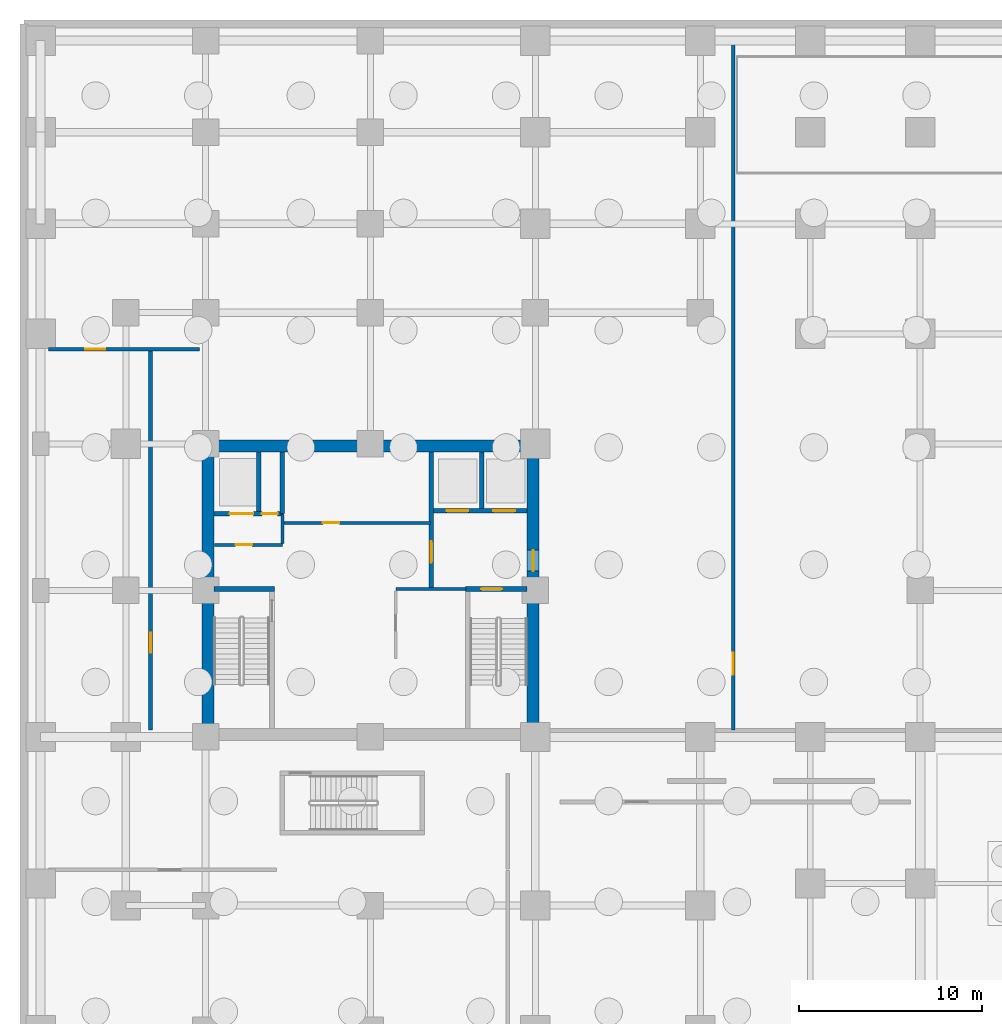
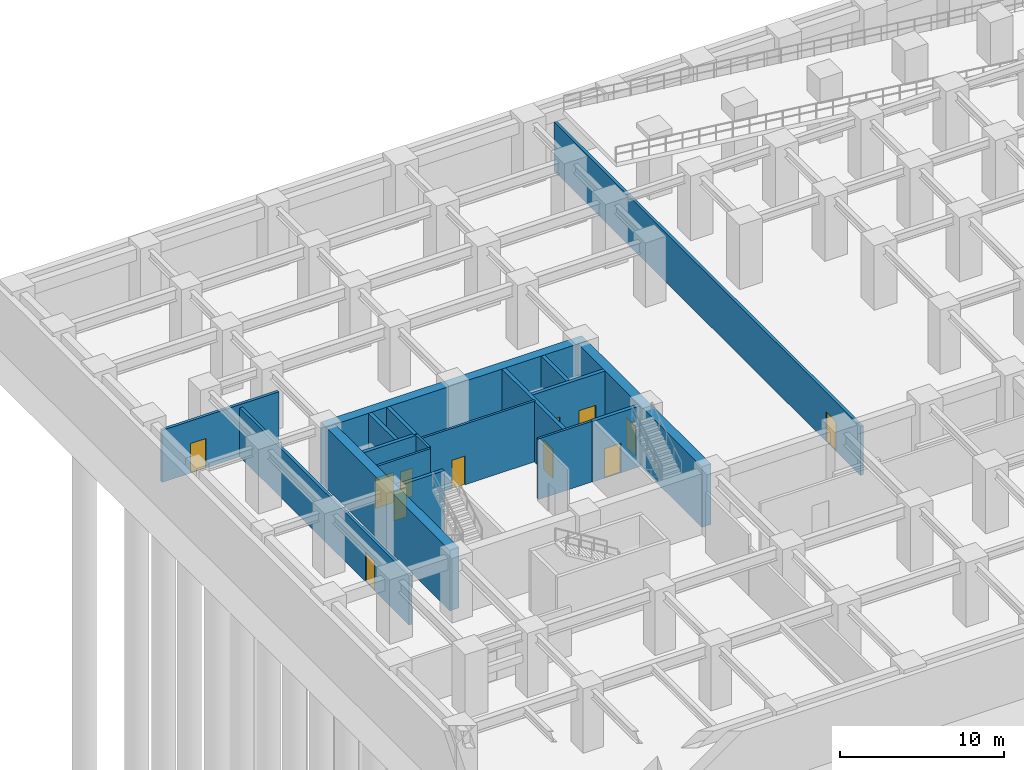
# One storey, part 7 of 11: 18 walls, 12 doors, 12 openings.
"""IFC4 building model written with IfcOpenShell, lengths in metres."""

from ifc_helpers import new_model, si_unit, direction, frame, frame_2d, origin, place, context, subcontext, project, spatial, rectangle, extrude, source, transform, mapped, material, layer, layer_set, type_object, element, fill, save


model = new_model("IFC4")

# Units and contexts
model_context = context("Model", 3, precision=1e-05, world=origin(), true_north=direction((0.0, 1.0)))
body_context = subcontext(model_context, "Body", "Model", "MODEL_VIEW")
ifc_project = project(units=[si_unit("LENGTHUNIT", "METRE"), si_unit("AREAUNIT", "SQUARE_METRE"), si_unit("VOLUMEUNIT", "CUBIC_METRE"), si_unit("PLANEANGLEUNIT", "RADIAN"), si_unit("MASSUNIT", "GRAM", prefix="KILO")], contexts=[model_context])

# Site, building, storey
site_placement = place(None, origin())
site = spatial("IfcSite", under=ifc_project, at=site_placement, CompositionType="ELEMENT")
building_placement = place(site_placement, origin())
building = spatial("IfcBuilding", under=site, at=building_placement, Name="Torre Montelarca", CompositionType="ELEMENT")
storey_placement = place(building_placement, frame((0.0, 0.0, -9.60009765625)))
storey = spatial("IfcBuildingStorey", under=building, at=storey_placement, Name="B2", CompositionType="ELEMENT", Elevation=-9.60009765625)

# Wall
ifc_material_1 = material(Name="Concrete C40/50", Category="concrete")
ifc_layer_1 = layer(ifc_material_1, 0.25, Name="Concrete C40/50", Category="concrete")
ifc_layer_set_1 = layer_set([ifc_layer_1], Name="Concrete C40/50")
wall_type_1 = type_object("IfcWallType", Name="CW-SHAFT-250", PredefinedType="SHEAR", material=ifc_layer_set_1)
wall_1_placement = place(storey_placement, frame((9.4599609375, 32.074951171875, 0.0), z_axis=(0.0, 0.0, 1.0), x_axis=(1.0, 0.0, 0.0)))
element("IfcWall", 1, at=wall_1_placement, inside=storey, type_object=wall_type_1, Name="B2 Core Shear Wall SH-ST1-N", PredefinedType="SHEAR", context=body_context, shape_type="SweptSolid", body=[
    extrude(rectangle(XDim=3.2900390625, YDim=0.25, at=frame_2d((1.64501953125, 0.0))), origin(), (0.0, 0.0, 1.0), 4.52001953125),
])

# Wall, opening, door
wall_2_placement = place(storey_placement, frame((23.18994140625, 32.074951171875, 0.0), z_axis=(0.0, 0.0, 1.0), x_axis=(1.0, 0.0, 0.0)))
wall_2 = element("IfcWall", 2, at=wall_2_placement, inside=storey, type_object=wall_type_1, Name="B2 Core Shear Wall SH-ST2-N", PredefinedType="SHEAR", context=body_context, shape_type="SweptSolid", body=[
    extrude(rectangle(XDim=3.35009765625, YDim=0.25, at=frame_2d((1.675048828125, 0.0))), origin(), (0.0, 0.0, 1.0), 4.52001953125),
])
opening_1_placement = place(wall_2_placement, frame((0.85009765625, 0.0, 0.0)))
opening_1 = element("IfcOpeningElement", 3, at=opening_1_placement, cuts=wall_2, Name="Opening FD-ST1", PredefinedType="OPENING", context=body_context, shape_type="SweptSolid", body=[
    extrude(rectangle(XDim=1.14990234375, YDim=2.199951171875, at=frame_2d((0.574951171875, 1.10009765625))), frame((0.0, 0.135009765625, 0.0), z_axis=(0.0, -1.0, 0.0), x_axis=(1.0, 0.0, 0.0)), (0.0, 0.0, 1.0), 0.27001953125),
])
ifc_material_2 = material(Name="Galvanized steel fire door", Category="steel")
door_type_1 = type_object("IfcDoorType", Name="DR-STAIR-115", OperationType="NOTDEFINED", PredefinedType="DOOR", material=ifc_material_2)
shared_shape_1 = source(origin(), body_context, "Body", "SweptSolid", [
    extrude(rectangle(XDim=1.14990234375, YDim=2.199951171875, at=frame_2d((0.574951171875, 1.10009765625))), frame((0.0, 0.02490234375, 0.0), z_axis=(0.0, -1.0, 0.0), x_axis=(1.0, 0.0, 0.0)), (0.0, 0.0, 1.0), 0.050048828125),
])
door_1_placement = place(opening_1_placement, origin())
door_1 = element("IfcDoor", 4, at=door_1_placement, inside=storey, type_object=door_type_1, Name="B2 Exit Stair ST2 Fire Door", OperationType="SINGLE_SWING_RIGHT", OverallHeight=2.199951171875, OverallWidth=1.14990234375, PredefinedType="DOOR", context=body_context, shape_type="MappedRepresentation", body=[
    mapped(shared_shape_1, transform((0.0, 0.0, 0.0), scale=1.0)),
])
fill(opening_1, door_1)

wall_3_placement = place(storey_placement, frame((21.320068359375, 32.1201171875, 0.0), z_axis=(0.0, 0.0, 1.0), x_axis=(0.0, 1.0, 0.0)))
wall_3 = element("IfcWall", 5, at=wall_3_placement, inside=storey, type_object=wall_type_1, Name="B2 Core Shear Wall SH-FFL-W", PredefinedType="SHEAR", context=body_context, shape_type="SweptSolid", body=[
    extrude(rectangle(XDim=7.419921875, YDim=0.25, at=frame_2d((3.7099609375, 0.0))), origin(), (0.0, 0.0, 1.0), 4.52001953125),
])
opening_2_placement = place(wall_3_placement, frame((1.39990234375, 0.0, 0.0)))
opening_2 = element("IfcOpeningElement", 6, at=opening_2_placement, cuts=wall_3, Name="Opening FD-LB1", PredefinedType="OPENING", context=body_context, shape_type="SweptSolid", body=[
    extrude(rectangle(XDim=1.14990234375, YDim=2.199951171875, at=frame_2d((0.574951171875, 1.10009765625))), frame((0.0, 0.135009765625, 0.0), z_axis=(0.0, -1.0, 0.0), x_axis=(1.0, 0.0, 0.0)), (0.0, 0.0, 1.0), 0.27001953125),
])
ifc_material_3 = material(Name="Acoustic timber-veneered fire door", Category="wood")
door_type_2 = type_object("IfcDoorType", Name="DR-LOBBY-115", OperationType="NOTDEFINED", PredefinedType="DOOR", material=ifc_material_3)
shared_shape_2 = source(origin(), body_context, "Body", "SweptSolid", [
    extrude(rectangle(XDim=1.14990234375, YDim=2.199951171875, at=frame_2d((0.574951171875, 1.10009765625))), frame((0.0, 0.02490234375, 0.0), z_axis=(0.0, -1.0, 0.0), x_axis=(1.0, 0.0, 0.0)), (0.0, 0.0, 1.0), 0.050048828125),
])
door_2_placement = place(opening_2_placement, origin())
door_2 = element("IfcDoor", 7, at=door_2_placement, inside=storey, type_object=door_type_2, Name="B2 Lift Lobby to Firefighting Lobby Smoke Door", OperationType="SINGLE_SWING_LEFT", OverallHeight=2.199951171875, OverallWidth=1.14990234375, PredefinedType="DOOR", context=body_context, shape_type="MappedRepresentation", body=[
    mapped(shared_shape_2, transform((0.0, 0.0, 0.0), scale=1.0)),
])
fill(opening_2, door_2)

# Wall, openings, doors
wall_4_placement = place(storey_placement, frame((9.4599609375, 36.179931640625, 0.0), z_axis=(0.0, 0.0, 1.0), x_axis=(1.0, 0.0, 0.0)))
wall_4 = element("IfcWall", 8, at=wall_4_placement, inside=storey, type_object=wall_type_1, Name="B2 Core Shear Wall SH-SV1-S", PredefinedType="SHEAR", context=body_context, shape_type="SweptSolid", body=[
    extrude(rectangle(XDim=3.7900390625, YDim=0.25, at=frame_2d((1.89501953125, 0.0))), origin(), (0.0, 0.0, 1.0), 4.52001953125),
])
opening_3_placement = place(wall_4_placement, frame((2.6201171875, 0.0, 0.0)))
opening_3 = element("IfcOpeningElement", 9, at=opening_3_placement, cuts=wall_4, Name="Opening FD-085", PredefinedType="OPENING", context=body_context, shape_type="SweptSolid", body=[
    extrude(rectangle(XDim=0.85009765625, YDim=2.10009765625, at=frame_2d((0.425048828125, 1.050048828125))), frame((0.0, 0.135009765625, 0.0), z_axis=(0.0, -1.0, 0.0), x_axis=(1.0, 0.0, 0.0)), (0.0, 0.0, 1.0), 0.27001953125),
])
opening_4_placement = place(wall_4_placement, frame((0.85009765625, 0.0, 0.0)))
opening_4 = element("IfcOpeningElement", 10, at=opening_4_placement, cuts=wall_4, Name="Opening LD-130", PredefinedType="OPENING", context=body_context, shape_type="SweptSolid", body=[
    extrude(rectangle(XDim=1.300048828125, YDim=2.25, at=frame_2d((0.64990234375, 1.125))), frame((0.0, 0.135009765625, 0.0), z_axis=(0.0, -1.0, 0.0), x_axis=(1.0, 0.0, 0.0)), (0.0, 0.0, 1.0), 0.27001953125),
])
ifc_material_4 = material(Name="Steel riser access fire door", Category="steel")
door_type_3 = type_object("IfcDoorType", Name="DR-RISER-085", OperationType="NOTDEFINED", PredefinedType="DOOR", material=ifc_material_4)
shared_shape_3 = source(origin(), body_context, "Body", "SweptSolid", [
    extrude(rectangle(XDim=0.85009765625, YDim=2.10009765625, at=frame_2d((0.425048828125, 1.050048828125))), frame((0.0, 0.02490234375, 0.0), z_axis=(0.0, -1.0, 0.0), x_axis=(1.0, 0.0, 0.0)), (0.0, 0.0, 1.0), 0.050048828125),
])
door_3_placement = place(opening_3_placement, origin())
door_3 = element("IfcDoor", 11, at=door_3_placement, inside=storey, type_object=door_type_3, Name="B2 Electrical Riser Shaft Access Door", OperationType="SINGLE_SWING_RIGHT", OverallHeight=2.10009765625, OverallWidth=0.85009765625, PredefinedType="DOOR", context=body_context, shape_type="MappedRepresentation", body=[
    mapped(shared_shape_3, transform((0.0, 0.0, 0.0), scale=1.0)),
])
fill(opening_3, door_3)
ifc_material_5 = material(Name="Brushed stainless steel AISI 316", Category="steel")
door_type_4 = type_object("IfcDoorType", Name="DR-LIFT-130", OperationType="SLIDING_TO_LEFT", PredefinedType="DOOR", material=ifc_material_5)
shared_shape_4 = source(origin(), body_context, "Body", "SweptSolid", [
    extrude(rectangle(XDim=1.300048828125, YDim=2.25, at=frame_2d((0.64990234375, 1.125))), frame((0.0, 0.02490234375, 0.0), z_axis=(0.0, -1.0, 0.0), x_axis=(1.0, 0.0, 0.0)), (0.0, 0.0, 1.0), 0.050048828125),
])
door_4_placement = place(opening_4_placement, origin())
door_4 = element("IfcDoor", 12, at=door_4_placement, inside=storey, type_object=door_type_4, Name="B2 Lift Landing Sliding Door SV-1", OperationType="SLIDING_TO_LEFT", OverallHeight=2.25, OverallWidth=1.300048828125, PredefinedType="DOOR", context=body_context, shape_type="MappedRepresentation", body=[
    mapped(shared_shape_4, transform((0.0, 0.0, 0.0), scale=1.0)),
])
fill(opening_4, door_4)

# Wall
wall_5_placement = place(storey_placement, frame((11.89990234375, 36.31005859375, 0.0), z_axis=(0.0, 0.0, 1.0), x_axis=(0.0, 1.0, 0.0)))
element("IfcWall", 13, at=wall_5_placement, inside=storey, type_object=wall_type_1, Name="B2 Core Shear Wall SH-SV1-E", PredefinedType="SHEAR", context=body_context, shape_type="SweptSolid", body=[
    extrude(rectangle(XDim=3.22998046875, YDim=0.25, at=frame_2d((1.614990234375, 0.0))), origin(), (0.0, 0.0, 1.0), 4.52001953125),
])

# Wall, openings, doors
wall_6_placement = place(storey_placement, frame((21.449951171875, 36.35009765625, 0.0), z_axis=(0.0, 0.0, 1.0), x_axis=(1.0, 0.0, 0.0)))
wall_6 = element("IfcWall", 14, at=wall_6_placement, inside=storey, type_object=wall_type_1, Name="B2 Core Shear Wall SH-FF-S", PredefinedType="SHEAR", context=body_context, shape_type="SweptSolid", body=[
    extrude(rectangle(XDim=5.090087890625, YDim=0.25, at=frame_2d((2.544921875, 0.0))), origin(), (0.0, 0.0, 1.0), 4.52001953125),
])
opening_5_placement = place(wall_6_placement, frame((0.699951171875, 0.0, 0.0)))
opening_5 = element("IfcOpeningElement", 15, at=opening_5_placement, cuts=wall_6, Name="Opening LD-120", PredefinedType="OPENING", context=body_context, shape_type="SweptSolid", body=[
    extrude(rectangle(XDim=1.199951171875, YDim=2.199951171875, at=frame_2d((0.60009765625, 1.10009765625))), frame((0.0, 0.135009765625, 0.0), z_axis=(0.0, -1.0, 0.0), x_axis=(1.0, 0.0, 0.0)), (0.0, 0.0, 1.0), 0.27001953125),
])
opening_6_placement = place(wall_6_placement, frame((3.25, 0.0, 0.0)))
opening_6 = element("IfcOpeningElement", 16, at=opening_6_placement, cuts=wall_6, Name="Opening LD-120", PredefinedType="OPENING", context=body_context, shape_type="SweptSolid", body=[
    extrude(rectangle(XDim=1.199951171875, YDim=2.199951171875, at=frame_2d((0.60009765625, 1.10009765625))), frame((0.0, 0.135009765625, 0.0), z_axis=(0.0, -1.0, 0.0), x_axis=(1.0, 0.0, 0.0)), (0.0, 0.0, 1.0), 0.27001953125),
])
door_type_5 = type_object("IfcDoorType", Name="DR-LIFT-120", OperationType="SLIDING_TO_RIGHT", PredefinedType="DOOR", material=ifc_material_5)
shared_shape_5 = source(origin(), body_context, "Body", "SweptSolid", [
    extrude(rectangle(XDim=1.199951171875, YDim=2.199951171875, at=frame_2d((0.60009765625, 1.10009765625))), frame((0.0, 0.02490234375, 0.0), z_axis=(0.0, -1.0, 0.0), x_axis=(1.0, 0.0, 0.0)), (0.0, 0.0, 1.0), 0.050048828125),
])
door_5_placement = place(opening_5_placement, origin())
door_5 = element("IfcDoor", 17, at=door_5_placement, inside=storey, type_object=door_type_5, Name="B2 Lift Landing Sliding Door FF-1", OperationType="SLIDING_TO_LEFT", OverallHeight=2.199951171875, OverallWidth=1.199951171875, PredefinedType="DOOR", context=body_context, shape_type="MappedRepresentation", body=[
    mapped(shared_shape_5, transform((0.0, 0.0, 0.0), scale=1.0)),
])
fill(opening_5, door_5)
door_6_placement = place(opening_6_placement, origin())
door_6 = element("IfcDoor", 18, at=door_6_placement, inside=storey, type_object=door_type_5, Name="B2 Lift Landing Sliding Door FF-2", OperationType="SLIDING_TO_RIGHT", OverallHeight=2.199951171875, OverallWidth=1.199951171875, PredefinedType="DOOR", context=body_context, shape_type="MappedRepresentation", body=[
    mapped(shared_shape_5, transform((0.0, 0.0, 0.0), scale=1.0)),
])
fill(opening_6, door_6)

# Walls
wall_7_placement = place(storey_placement, frame((24.080078125, 36.47998046875, 0.0), z_axis=(0.0, 0.0, 1.0), x_axis=(0.0, 1.0, 0.0)))
element("IfcWall", 19, at=wall_7_placement, inside=storey, type_object=wall_type_1, Name="B2 Core Shear Wall SH-FF-M", PredefinedType="SHEAR", context=body_context, shape_type="SweptSolid", body=[
    extrude(rectangle(XDim=3.06005859375, YDim=0.25, at=frame_2d((1.530029296875, 0.0))), origin(), (0.0, 0.0, 1.0), 4.52001953125),
])
wall_8_placement = place(storey_placement, frame((13.179931640625, 36.199951171875, 0.0), z_axis=(0.0, 0.0, 1.0), x_axis=(0.0, 1.0, 0.0)))
element("IfcWall", 20, at=wall_8_placement, inside=storey, type_object=wall_type_1, Name="B2 Core Shear Wall SH-RSR1-E", PredefinedType="SHEAR", context=body_context, shape_type="SweptSolid", body=[
    extrude(rectangle(XDim=3.340087890625, YDim=0.25, at=frame_2d((1.669921875, 0.0))), origin(), (0.0, 0.0, 1.0), 4.52001953125),
])
ifc_material_6 = material(Name="Concrete C70/85", Category="concrete")
ifc_layer_2 = layer(ifc_material_6, 0.64990234375, Name="Concrete C70/85", Category="concrete")
ifc_layer_set_2 = layer_set([ifc_layer_2], Name="Concrete C70/85")
wall_type_2 = type_object("IfcWallType", Name="CW-SHEAR-650", PredefinedType="SHEAR", material=ifc_layer_set_2)
wall_9_placement = place(storey_placement, frame((9.125, 24.449951171875, 0.0), z_axis=(0.0, 0.0, 1.0), x_axis=(0.0, 1.0, 0.0)))
element("IfcWall", 21, at=wall_9_placement, inside=storey, type_object=wall_type_2, Name="B2 Core Shear Wall CW-W", PredefinedType="SHEAR", context=body_context, shape_type="SweptSolid", body=[
    extrude(rectangle(XDim=15.10009765625, YDim=0.64990234375, at=frame_2d((7.550048828125, 0.0))), origin(), (0.0, 0.0, 1.0), 4.52001953125),
])

# Wall, opening, door
wall_10_placement = place(storey_placement, frame((26.875, 24.449951171875, 0.0), z_axis=(0.0, 0.0, 1.0), x_axis=(0.0, 1.0, 0.0)))
wall_10 = element("IfcWall", 22, at=wall_10_placement, inside=storey, type_object=wall_type_2, Name="B2 Core Shear Wall CW-E", PredefinedType="SHEAR", context=body_context, shape_type="SweptSolid", body=[
    extrude(rectangle(XDim=15.10009765625, YDim=0.64990234375, at=frame_2d((7.550048828125, 0.0))), origin(), (0.0, 0.0, 1.0), 4.52001953125),
])
opening_7_placement = place(wall_10_placement, frame((8.60009765625, 0.0, 0.0)))
opening_7 = element("IfcOpeningElement", 23, at=opening_7_placement, cuts=wall_10, Name="Opening FD-LB1", PredefinedType="OPENING", context=body_context, shape_type="SweptSolid", body=[
    extrude(rectangle(XDim=1.14990234375, YDim=2.199951171875, at=frame_2d((0.574951171875, 1.10009765625))), frame((0.0, 0.3349609375, 0.0), z_axis=(0.0, -1.0, 0.0), x_axis=(1.0, 0.0, 0.0)), (0.0, 0.0, 1.0), 0.669921875),
])
door_7_placement = place(opening_7_placement, origin())
door_7 = element("IfcDoor", 24, at=door_7_placement, inside=storey, type_object=door_type_2, Name="B2 Firefighting Lift Lobby Corridor Fire Door", OperationType="SINGLE_SWING_RIGHT", OverallHeight=2.199951171875, OverallWidth=1.14990234375, PredefinedType="DOOR", context=body_context, shape_type="MappedRepresentation", body=[
    mapped(shared_shape_2, transform((0.0, 0.0, 0.0), scale=1.0)),
])
fill(opening_7, door_7)

# Wall
wall_11_placement = place(storey_placement, frame((8.800048828125, 39.875, 0.0), z_axis=(0.0, 0.0, 1.0), x_axis=(1.0, 0.0, 0.0)))
element("IfcWall", 25, at=wall_11_placement, inside=storey, type_object=wall_type_2, Name="B2 Core Shear Wall CW-N1", PredefinedType="SHEAR", context=body_context, shape_type="SweptSolid", body=[
    extrude(rectangle(XDim=18.39990234375, YDim=0.64990234375, at=frame_2d((9.199951171875, 0.0))), origin(), (0.0, 0.0, 1.0), 4.52001953125),
])

# Wall, opening, door
ifc_material_7 = material(Name="Gypsum plasterboard on steel stud", Category="steel")
ifc_layer_3 = layer(ifc_material_7, 0.159912109375, Name="Gypsum plasterboard on steel stud", Category="steel")
ifc_layer_set_3 = layer_set([ifc_layer_3], Name="Gypsum plasterboard on steel stud")
wall_type_3 = type_object("IfcWallType", Name="PW-FIRE-160", PredefinedType="PARTITIONING", material=ifc_layer_set_3)
wall_12_placement = place(storey_placement, frame((9.489990234375, 34.47998046875, 0.0), z_axis=(0.0, 0.0, 1.0), x_axis=(1.0, 0.0, 0.0)))
wall_12 = element("IfcWall", 26, at=wall_12_placement, inside=storey, type_object=wall_type_3, Name="B2 Interior Partition CW-B2-SVS", PredefinedType="PARTITIONING", context=body_context, shape_type="SweptSolid", body=[
    extrude(rectangle(XDim=3.699951171875, YDim=0.159912109375, at=frame_2d((1.85009765625, 0.0))), origin(), (0.0, 0.0, 1.0), 4.52001953125),
])
opening_8_placement = place(wall_12_placement, frame((1.14990234375, 0.0, 0.0)))
opening_8 = element("IfcOpeningElement", 27, at=opening_8_placement, cuts=wall_12, Name="Opening FD-090", PredefinedType="OPENING", context=body_context, shape_type="SweptSolid", body=[
    extrude(rectangle(XDim=0.89990234375, YDim=2.14990234375, at=frame_2d((0.449951171875, 1.074951171875))), frame((0.0, 0.08984375, 0.0), z_axis=(0.0, -1.0, 0.0), x_axis=(1.0, 0.0, 0.0)), (0.0, 0.0, 1.0), 0.179931640625),
])
ifc_material_8 = material(Name="Steel service fire door", Category="steel")
door_type_6 = type_object("IfcDoorType", Name="DR-FIRE-090", OperationType="NOTDEFINED", PredefinedType="DOOR", material=ifc_material_8)
shared_shape_6 = source(origin(), body_context, "Body", "SweptSolid", [
    extrude(rectangle(XDim=0.89990234375, YDim=2.14990234375, at=frame_2d((0.449951171875, 1.074951171875))), frame((0.0, 0.02490234375, 0.0), z_axis=(0.0, -1.0, 0.0), x_axis=(1.0, 0.0, 0.0)), (0.0, 0.0, 1.0), 0.050048828125),
])
door_8_placement = place(opening_8_placement, origin())
door_8 = element("IfcDoor", 28, at=door_8_placement, inside=storey, type_object=door_type_6, Name="B2 Interior Door 01", OperationType="SINGLE_SWING_RIGHT", OverallHeight=2.14990234375, OverallWidth=0.89990234375, PredefinedType="DOOR", context=body_context, shape_type="MappedRepresentation", body=[
    mapped(shared_shape_6, transform((0.0, 0.0, 0.0), scale=1.0)),
])
fill(opening_8, door_8)

# Wall
wall_13_placement = place(storey_placement, frame((13.199951171875, 34.570068359375, 0.0), z_axis=(0.0, 0.0, 1.0), x_axis=(0.0, 1.0, 0.0)))
element("IfcWall", 29, at=wall_13_placement, inside=storey, type_object=wall_type_3, Name="B2 Interior Partition CW-B2-SVE", PredefinedType="PARTITIONING", context=body_context, shape_type="SweptSolid", body=[
    extrude(rectangle(XDim=1.56982421875, YDim=0.159912109375, at=frame_2d((0.784912109375, 0.0))), origin(), (0.0, 0.0, 1.0), 4.52001953125),
])

# Wall, opening, door
wall_14_placement = place(storey_placement, frame((13.2099609375, 35.679931640625, 0.0), z_axis=(0.0, 0.0, 1.0), x_axis=(1.0, 0.0, 0.0)))
wall_14 = element("IfcWall", 30, at=wall_14_placement, inside=storey, type_object=wall_type_3, Name="B2 Interior Partition CW-B2-BMN", PredefinedType="PARTITIONING", context=body_context, shape_type="SweptSolid", body=[
    extrude(rectangle(XDim=8.06005859375, YDim=0.159912109375, at=frame_2d((4.030029296875, 0.0))), origin(), (0.0, 0.0, 1.0), 4.52001953125),
])
opening_9_placement = place(wall_14_placement, frame((2.199951171875, 0.0, 0.0)))
opening_9 = element("IfcOpeningElement", 31, at=opening_9_placement, cuts=wall_14, Name="Opening FD-090", PredefinedType="OPENING", context=body_context, shape_type="SweptSolid", body=[
    extrude(rectangle(XDim=0.89990234375, YDim=2.14990234375, at=frame_2d((0.449951171875, 1.074951171875))), frame((0.0, 0.08984375, 0.0), z_axis=(0.0, -1.0, 0.0), x_axis=(1.0, 0.0, 0.0)), (0.0, 0.0, 1.0), 0.179931640625),
])
door_9_placement = place(opening_9_placement, origin())
door_9 = element("IfcDoor", 32, at=door_9_placement, inside=storey, type_object=door_type_6, Name="B2 Interior Door 02", OperationType="SINGLE_SWING_LEFT", OverallHeight=2.14990234375, OverallWidth=0.89990234375, PredefinedType="DOOR", context=body_context, shape_type="MappedRepresentation", body=[
    mapped(shared_shape_6, transform((0.0, 0.0, 0.0), scale=1.0)),
])
fill(opening_9, door_9)

# Wall
wall_15_placement = place(storey_placement, frame((19.389892578125, 32.080078125, 0.0), z_axis=(0.0, 0.0, 1.0), x_axis=(1.0, 0.0, 0.0)))
element("IfcWall", 33, at=wall_15_placement, inside=storey, type_object=wall_type_3, Name="B2 Interior Partition CW-B2-SEN", PredefinedType="PARTITIONING", context=body_context, shape_type="SweptSolid", body=[
    extrude(rectangle(XDim=3.820068359375, YDim=0.159912109375, at=frame_2d((1.91015625, 0.0))), origin(), (0.0, 0.0, 1.0), 4.52001953125),
])

# Wall, opening, door
ifc_material_9 = material(Name="Gypsum fireboard and rockwool on steel stud", Category="steel")
ifc_layer_4 = layer(ifc_material_9, 0.199951171875, Name="Gypsum fireboard and rockwool on steel stud", Category="steel")
ifc_layer_set_4 = layer_set([ifc_layer_4], Name="Gypsum fireboard and rockwool on steel stud")
wall_type_4 = type_object("IfcWallType", Name="PW-FIRE-200", PredefinedType="SOLIDWALL", material=ifc_layer_set_4)
wall_16_placement = place(storey_placement, frame((6.0, 24.389892578125, 0.0), z_axis=(0.0, 0.0, 1.0), x_axis=(0.0, 1.0, 0.0)))
wall_16 = element("IfcWall", 34, at=wall_16_placement, inside=storey, type_object=wall_type_4, Name="B2 Interior Partition W-B2-P0", PredefinedType="SOLIDWALL", context=body_context, shape_type="SweptSolid", body=[
    extrude(rectangle(XDim=20.72021484375, YDim=0.199951171875, at=frame_2d((10.360107421875, 0.0))), origin(), (0.0, 0.0, 1.0), 3.655029296875),
])
opening_10_placement = place(wall_16_placement, frame((4.199951171875, 0.0, 0.0)))
opening_10 = element("IfcOpeningElement", 35, at=opening_10_placement, cuts=wall_16, Name="Opening FD-110", PredefinedType="OPENING", context=body_context, shape_type="SweptSolid", body=[
    extrude(rectangle(XDim=1.10009765625, YDim=2.199951171875, at=frame_2d((0.550048828125, 1.10009765625))), frame((0.0, 0.10986328125, 0.0), z_axis=(0.0, -1.0, 0.0), x_axis=(1.0, 0.0, 0.0)), (0.0, 0.0, 1.0), 0.219970703125),
])
ifc_material_10 = material(Name="Timber fire-rated suite door", Category="wood")
door_type_7 = type_object("IfcDoorType", Name="DR-FIRE-110", OperationType="NOTDEFINED", PredefinedType="DOOR", material=ifc_material_10)
shared_shape_7 = source(origin(), body_context, "Body", "SweptSolid", [
    extrude(rectangle(XDim=1.10009765625, YDim=2.199951171875, at=frame_2d((0.550048828125, 1.10009765625))), frame((0.0, 0.02490234375, 0.0), z_axis=(0.0, -1.0, 0.0), x_axis=(1.0, 0.0, 0.0)), (0.0, 0.0, 1.0), 0.050048828125),
])
door_10_placement = place(opening_10_placement, origin())
door_10 = element("IfcDoor", 36, at=door_10_placement, inside=storey, type_object=door_type_7, Name="B2 Interior Door 04", OperationType="SINGLE_SWING_RIGHT", OverallHeight=2.199951171875, OverallWidth=1.10009765625, PredefinedType="DOOR", context=body_context, shape_type="MappedRepresentation", body=[
    mapped(shared_shape_7, transform((0.0, 0.0, 0.0), scale=1.0)),
])
fill(opening_10, door_10)

wall_17_placement = place(storey_placement, frame((0.43994140625, 45.14990234375, 0.0), z_axis=(0.0, 0.0, 1.0), x_axis=(1.0, 0.0, 0.0)))
wall_17 = element("IfcWall", 37, at=wall_17_placement, inside=storey, type_object=wall_type_4, Name="B2 Interior Partition W-B2-P1", PredefinedType="SOLIDWALL", context=body_context, shape_type="SweptSolid", body=[
    extrude(rectangle(XDim=8.219970703125, YDim=0.199951171875, at=frame_2d((4.10986328125, 0.0))), origin(), (0.0, 0.0, 1.0), 3.883056640625),
])
opening_11_placement = place(wall_17_placement, frame((2.0, 0.0, 0.0)))
opening_11 = element("IfcOpeningElement", 38, at=opening_11_placement, cuts=wall_17, Name="Opening FD-110", PredefinedType="OPENING", context=body_context, shape_type="SweptSolid", body=[
    extrude(rectangle(XDim=1.10009765625, YDim=2.199951171875, at=frame_2d((0.550048828125, 1.10009765625))), frame((0.0, 0.10986328125, 0.0), z_axis=(0.0, -1.0, 0.0), x_axis=(1.0, 0.0, 0.0)), (0.0, 0.0, 1.0), 0.219970703125),
])
door_11_placement = place(opening_11_placement, origin())
door_11 = element("IfcDoor", 39, at=door_11_placement, inside=storey, type_object=door_type_7, Name="B2 Interior Door 05", OperationType="SINGLE_SWING_LEFT", OverallHeight=2.199951171875, OverallWidth=1.10009765625, PredefinedType="DOOR", context=body_context, shape_type="MappedRepresentation", body=[
    mapped(shared_shape_7, transform((0.0, 0.0, 0.0), scale=1.0)),
])
fill(opening_11, door_11)

wall_18_placement = place(storey_placement, frame((37.800048828125, 24.389892578125, 0.0), z_axis=(0.0, 0.0, 1.0), x_axis=(0.0, 1.0, 0.0)))
wall_18 = element("IfcWall", 40, at=wall_18_placement, inside=storey, type_object=wall_type_4, Name="B2 Interior Partition W-B2-P5", PredefinedType="SOLIDWALL", context=body_context, shape_type="SweptSolid", body=[
    extrude(rectangle(XDim=37.420166015625, YDim=0.199951171875, at=frame_2d((18.7099609375, 0.0))), origin(), (0.0, 0.0, 1.0), 3.655029296875),
])
opening_12_placement = place(wall_18_placement, frame((3.0, 0.0, 0.0)))
opening_12 = element("IfcOpeningElement", 41, at=opening_12_placement, cuts=wall_18, Name="Opening FD-120", PredefinedType="OPENING", context=body_context, shape_type="SweptSolid", body=[
    extrude(rectangle(XDim=1.199951171875, YDim=2.199951171875, at=frame_2d((0.60009765625, 1.10009765625))), frame((0.0, 0.10986328125, 0.0), z_axis=(0.0, -1.0, 0.0), x_axis=(1.0, 0.0, 0.0)), (0.0, 0.0, 1.0), 0.219970703125),
])
door_type_8 = type_object("IfcDoorType", Name="DR-FIRE-120", OperationType="NOTDEFINED", PredefinedType="DOOR", material=ifc_material_2)
shared_shape_8 = source(origin(), body_context, "Body", "SweptSolid", [
    extrude(rectangle(XDim=1.199951171875, YDim=2.199951171875, at=frame_2d((0.60009765625, 1.10009765625))), frame((0.0, 0.02490234375, 0.0), z_axis=(0.0, -1.0, 0.0), x_axis=(1.0, 0.0, 0.0)), (0.0, 0.0, 1.0), 0.050048828125),
])
door_12_placement = place(opening_12_placement, origin())
door_12 = element("IfcDoor", 42, at=door_12_placement, inside=storey, type_object=door_type_8, Name="B2 Interior Door 08", OperationType="SINGLE_SWING_RIGHT", OverallHeight=2.199951171875, OverallWidth=1.199951171875, PredefinedType="DOOR", context=body_context, shape_type="MappedRepresentation", body=[
    mapped(shared_shape_8, transform((0.0, 0.0, 0.0), scale=1.0)),
])
fill(opening_12, door_12)

save(model, "model.ifc")
